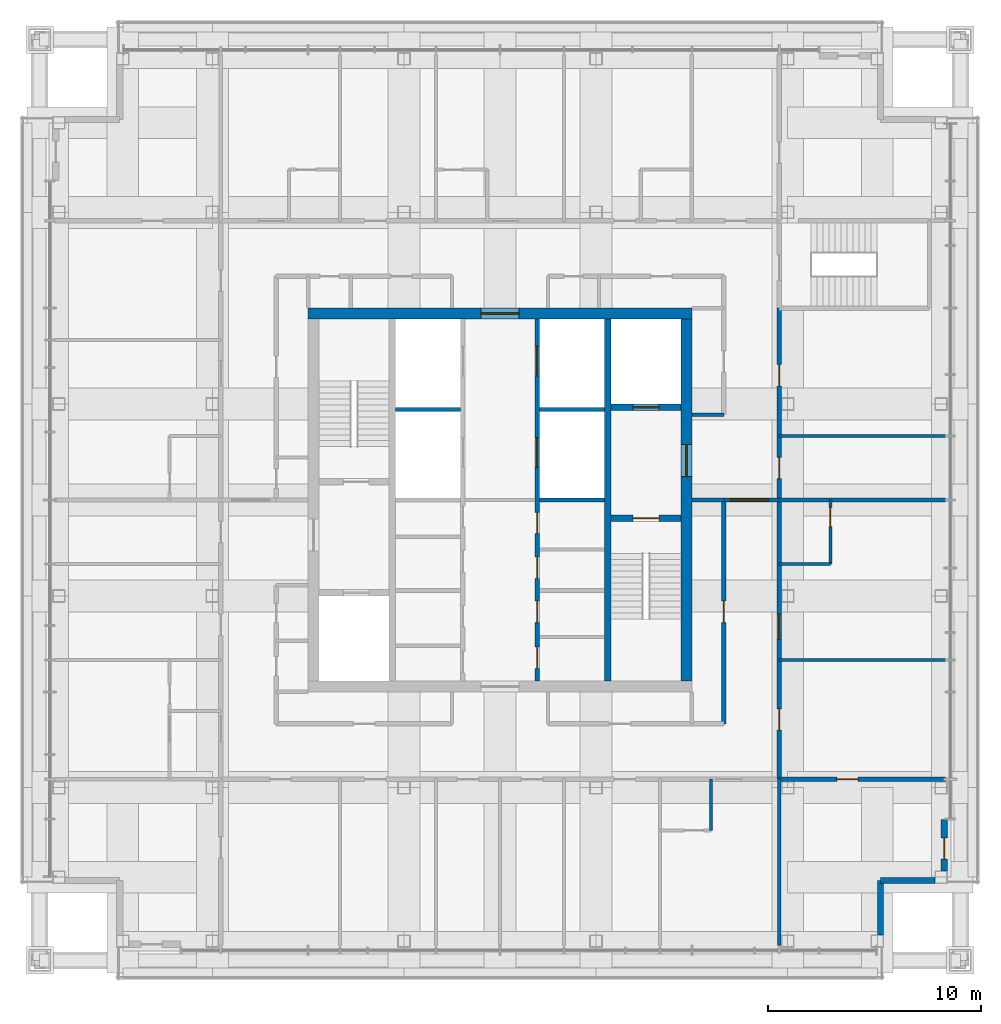
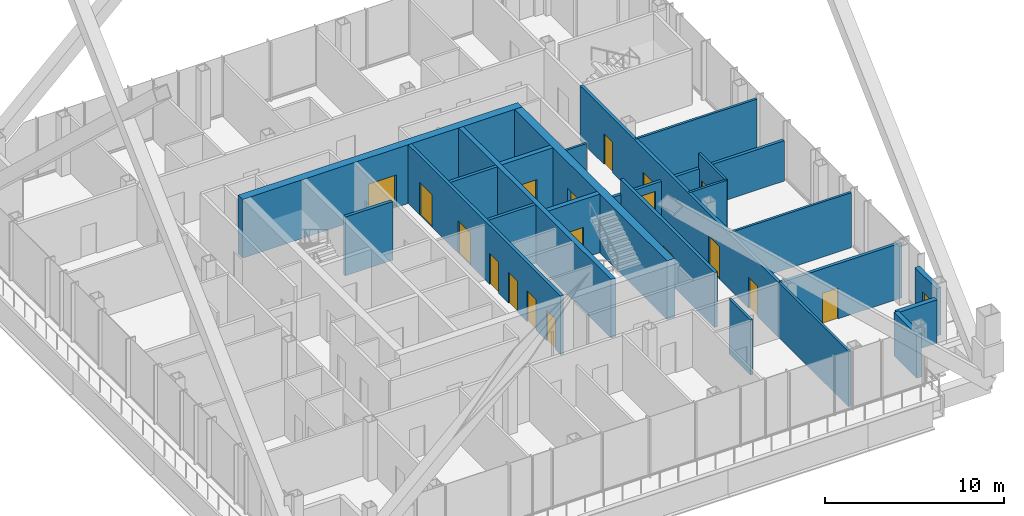
# One storey, part 14 of 19: 25 walls, 19 doors, 19 openings.
"""IFC4 building model written with IfcOpenShell, lengths in metres."""

from ifc_helpers import new_model, si_unit, direction, frame, frame_2d, origin, place, context, subcontext, project, spatial, rectangle, extrude, material, layer, layer_set, type_object, element, fill, save


model = new_model("IFC4")

# Units and contexts
model_context = context("Model", 3, precision=1e-05, world=origin(), true_north=direction((0.0, 1.0)))
body_context = subcontext(model_context, "Body", "Model", "MODEL_VIEW")
ifc_project = project(units=[si_unit("LENGTHUNIT", "METRE"), si_unit("AREAUNIT", "SQUARE_METRE"), si_unit("VOLUMEUNIT", "CUBIC_METRE"), si_unit("PLANEANGLEUNIT", "RADIAN"), si_unit("MASSUNIT", "GRAM", prefix="KILO")], contexts=[model_context])

# Site, building, storey
site_placement = place(None, origin())
site = spatial("IfcSite", under=ifc_project, at=site_placement, CompositionType="ELEMENT")
building_placement = place(site_placement, origin())
building = spatial("IfcBuilding", under=site, at=building_placement, Name="Malebo Sky Hospital", CompositionType="ELEMENT")
storey_placement = place(building_placement, frame((0.0, 0.0, 250.0)))
storey = spatial("IfcBuildingStorey", under=building, at=storey_placement, Name="L60", CompositionType="ELEMENT", Elevation=250.0)

# Wall, openings, doors
ifc_material_1 = material(Name="Concrete C80/95", Category="concrete")
ifc_layer_1 = layer(ifc_material_1, 0.199951171875)
ifc_layer_set_1 = layer_set([ifc_layer_1], Name="CORE INNER WALL 200")
wall_type_1 = type_object("IfcWallType", Name="CORE INNER WALL 200", PredefinedType="SHEAR", material=ifc_layer_set_1)
wall_1_placement = place(storey_placement, frame((61.75, 53.5, 0.0), z_axis=(0.0, 0.0, 1.0), x_axis=(0.0, 1.0, 0.0)))
wall_1 = element("IfcWall", 1, at=wall_1_placement, inside=storey, type_object=wall_type_1, Name="Core wall LE L60", PredefinedType="SHEAR", context=body_context, shape_type="SweptSolid", body=[
    extrude(rectangle(XDim=17.0, YDim=0.199951171875, at=frame_2d((8.5, 0.0))), origin(), (0.0, 0.0, 1.0), 4.0),
])
opening_1_placement = place(wall_1_placement, frame((0.60009765625, 0.0, 0.0)))
opening_1 = element("IfcOpeningElement", 2, at=opening_1_placement, cuts=wall_1, Name="Opening D17", PredefinedType="OPENING", context=body_context, shape_type="SweptSolid", body=[
    extrude(rectangle(XDim=1.0, YDim=2.10009765625, at=frame_2d((0.5, 1.050048828125))), frame((0.0, 0.10986328125, 0.0), z_axis=(0.0, -1.0, 0.0), x_axis=(1.0, 0.0, 0.0)), (0.0, 0.0, 1.0), 0.219970703125),
])
opening_2_placement = place(wall_1_placement, frame((2.75, 0.0, 0.0)))
opening_2 = element("IfcOpeningElement", 3, at=opening_2_placement, cuts=wall_1, Name="Opening D17", PredefinedType="OPENING", context=body_context, shape_type="SweptSolid", body=[
    extrude(rectangle(XDim=1.0, YDim=2.10009765625, at=frame_2d((0.5, 1.050048828125))), frame((0.0, 0.10986328125, 0.0), z_axis=(0.0, -1.0, 0.0), x_axis=(1.0, 0.0, 0.0)), (0.0, 0.0, 1.0), 0.219970703125),
])
opening_3_placement = place(wall_1_placement, frame((4.823974609375, 0.0, 0.0)))
opening_3 = element("IfcOpeningElement", 4, at=opening_3_placement, cuts=wall_1, Name="Opening D17", PredefinedType="OPENING", context=body_context, shape_type="SweptSolid", body=[
    extrude(rectangle(XDim=1.0, YDim=2.10009765625, at=frame_2d((0.5, 1.050048828125))), frame((0.0, 0.10986328125, 0.0), z_axis=(0.0, -1.0, 0.0), x_axis=(1.0, 0.0, 0.0)), (0.0, 0.0, 1.0), 0.219970703125),
])
opening_4_placement = place(wall_1_placement, frame((6.924072265625, 0.0, 0.0)))
opening_4 = element("IfcOpeningElement", 5, at=opening_4_placement, cuts=wall_1, Name="Opening D17", PredefinedType="OPENING", context=body_context, shape_type="SweptSolid", body=[
    extrude(rectangle(XDim=1.0, YDim=2.10009765625, at=frame_2d((0.5, 1.050048828125))), frame((0.0, 0.10986328125, 0.0), z_axis=(0.0, -1.0, 0.0), x_axis=(1.0, 0.0, 0.0)), (0.0, 0.0, 1.0), 0.219970703125),
])
opening_5_placement = place(wall_1_placement, frame((10.02490234375, 0.0, 0.0)))
opening_5 = element("IfcOpeningElement", 6, at=opening_5_placement, cuts=wall_1, Name="Opening LD1", PredefinedType="OPENING", context=body_context, shape_type="SweptSolid", body=[
    extrude(rectangle(XDim=1.39990234375, YDim=2.199951171875, at=frame_2d((0.699951171875, 1.10009765625))), frame((0.0, 0.10986328125, 0.0), z_axis=(0.0, -1.0, 0.0), x_axis=(1.0, 0.0, 0.0)), (0.0, 0.0, 1.0), 0.219970703125),
])
opening_6_placement = place(wall_1_placement, frame((14.324951171875, 0.0, 0.0)))
opening_6 = element("IfcOpeningElement", 7, at=opening_6_placement, cuts=wall_1, Name="Opening LD1", PredefinedType="OPENING", context=body_context, shape_type="SweptSolid", body=[
    extrude(rectangle(XDim=1.39990234375, YDim=2.199951171875, at=frame_2d((0.699951171875, 1.10009765625))), frame((0.0, 0.10986328125, 0.0), z_axis=(0.0, -1.0, 0.0), x_axis=(1.0, 0.0, 0.0)), (0.0, 0.0, 1.0), 0.219970703125),
])
ifc_material_2 = material(Name="Hardwood-faced door leaf in steel frame", Category="steel")
door_type_1 = type_object("IfcDoorType", Name="FIRE DOOR 1000", OperationType="SINGLE_SWING_LEFT", PredefinedType="DOOR", material=ifc_material_2)
door_1_placement = place(opening_1_placement, origin())
door_1 = element("IfcDoor", 8, at=door_1_placement, inside=storey, type_object=door_type_1, Name="General store door", OperationType="SINGLE_SWING_RIGHT", OverallHeight=2.10009765625, OverallWidth=1.0, PredefinedType="DOOR", context=body_context, shape_type="SweptSolid", body=[
    extrude(rectangle(XDim=1.0, YDim=2.10009765625, at=frame_2d((0.5, 1.050048828125))), frame((0.0, 0.02490234375, 0.0), z_axis=(0.0, -1.0, 0.0), x_axis=(1.0, 0.0, 0.0)), (0.0, 0.0, 1.0), 0.050048828125),
])
fill(opening_1, door_1)
door_2_placement = place(opening_2_placement, origin())
door_2 = element("IfcDoor", 9, at=door_2_placement, inside=storey, type_object=door_type_1, Name="Records store door", OperationType="SINGLE_SWING_RIGHT", OverallHeight=2.10009765625, OverallWidth=1.0, PredefinedType="DOOR", context=body_context, shape_type="SweptSolid", body=[
    extrude(rectangle(XDim=1.0, YDim=2.10009765625, at=frame_2d((0.5, 1.050048828125))), frame((0.0, 0.02490234375, 0.0), z_axis=(0.0, -1.0, 0.0), x_axis=(1.0, 0.0, 0.0)), (0.0, 0.0, 1.0), 0.050048828125),
])
fill(opening_2, door_2)
door_3_placement = place(opening_3_placement, origin())
door_3 = element("IfcDoor", 10, at=door_3_placement, inside=storey, type_object=door_type_1, Name="Equipment store door", OperationType="SINGLE_SWING_RIGHT", OverallHeight=2.10009765625, OverallWidth=1.0, PredefinedType="DOOR", context=body_context, shape_type="SweptSolid", body=[
    extrude(rectangle(XDim=1.0, YDim=2.10009765625, at=frame_2d((0.5, 1.050048828125))), frame((0.0, 0.02490234375, 0.0), z_axis=(0.0, -1.0, 0.0), x_axis=(1.0, 0.0, 0.0)), (0.0, 0.0, 1.0), 0.050048828125),
])
fill(opening_3, door_3)
door_4_placement = place(opening_4_placement, origin())
door_4 = element("IfcDoor", 11, at=door_4_placement, inside=storey, type_object=door_type_1, Name="Linen store door", OperationType="SINGLE_SWING_RIGHT", OverallHeight=2.10009765625, OverallWidth=1.0, PredefinedType="DOOR", context=body_context, shape_type="SweptSolid", body=[
    extrude(rectangle(XDim=1.0, YDim=2.10009765625, at=frame_2d((0.5, 1.050048828125))), frame((0.0, 0.02490234375, 0.0), z_axis=(0.0, -1.0, 0.0), x_axis=(1.0, 0.0, 0.0)), (0.0, 0.0, 1.0), 0.050048828125),
])
fill(opening_4, door_4)
ifc_material_3 = material(Name="Stainless steel sliding landing door", Category="steel")
door_type_2 = type_object("IfcDoorType", Name="LIFT LANDING DOOR 1400", OperationType="SLIDING_TO_LEFT", PredefinedType="DOOR", material=ifc_material_3)
door_5_placement = place(opening_5_placement, origin())
door_5 = element("IfcDoor", 12, at=door_5_placement, inside=storey, type_object=door_type_2, Name="Lift E3 landing door", OperationType="SLIDING_TO_LEFT", OverallHeight=2.199951171875, OverallWidth=1.39990234375, PredefinedType="DOOR", context=body_context, shape_type="SweptSolid", body=[
    extrude(rectangle(XDim=1.39990234375, YDim=2.199951171875, at=frame_2d((0.699951171875, 1.10009765625))), frame((0.0, 0.02490234375, 0.0), z_axis=(0.0, -1.0, 0.0), x_axis=(1.0, 0.0, 0.0)), (0.0, 0.0, 1.0), 0.050048828125),
])
fill(opening_5, door_5)
door_6_placement = place(opening_6_placement, origin())
door_6 = element("IfcDoor", 13, at=door_6_placement, inside=storey, type_object=door_type_2, Name="Lift E4 landing door", OperationType="SLIDING_TO_LEFT", OverallHeight=2.199951171875, OverallWidth=1.39990234375, PredefinedType="DOOR", context=body_context, shape_type="SweptSolid", body=[
    extrude(rectangle(XDim=1.39990234375, YDim=2.199951171875, at=frame_2d((0.699951171875, 1.10009765625))), frame((0.0, 0.02490234375, 0.0), z_axis=(0.0, -1.0, 0.0), x_axis=(1.0, 0.0, 0.0)), (0.0, 0.0, 1.0), 0.050048828125),
])
fill(opening_6, door_6)

# Walls
for number, where, z_axis, x_axis, name in (
    (14, (61.85009765625, 62.0, 0.0), (0.0, 0.0, 1.0), (1.0, 0.0, 0.0), "Core wall SE1 L60"),
    (15, (55.10009765625, 66.25, 0.0), (0.0, 0.0, 1.0), (1.0, 0.0, 0.0), "Core wall SW2 L60"),
    (16, (61.85009765625, 66.25, 0.0), (0.0, 0.0, 1.0), (1.0, 0.0, 0.0), "Core wall SE2 L60"),
):
    element("IfcWall", number, at=place(storey_placement, frame(where, z_axis=z_axis, x_axis=x_axis)), inside=storey, type_object=wall_type_1, Name=name, PredefinedType="SHEAR", context=body_context, shape_type="SweptSolid", body=[
        extrude(rectangle(XDim=3.0498046875, YDim=0.199951171875, at=frame_2d((1.52490234375, 0.0))), origin(), (0.0, 0.0, 1.0), 4.0),
    ])
ifc_layer_2 = layer(ifc_material_1, 0.300048828125)
ifc_layer_set_2 = layer_set([ifc_layer_2], Name="CORE INNER WALL 300")
wall_type_2 = type_object("IfcWallType", Name="CORE INNER WALL 300", PredefinedType="SHEAR", material=ifc_layer_set_2)
wall_2_placement = place(storey_placement, frame((65.050048828125, 53.5, 0.0), z_axis=(0.0, 0.0, 1.0), x_axis=(0.0, 1.0, 0.0)))
element("IfcWall", 17, at=wall_2_placement, inside=storey, type_object=wall_type_2, Name="Core wall XE L60", PredefinedType="SHEAR", context=body_context, shape_type="SweptSolid", body=[
    extrude(rectangle(XDim=17.0, YDim=0.300048828125, at=frame_2d((8.5, 0.0))), origin(), (0.0, 0.0, 1.0), 4.0),
])

# Wall, opening, door
wall_3_placement = place(storey_placement, frame((65.199951171875, 61.14990234375, 0.0), z_axis=(0.0, 0.0, 1.0), x_axis=(1.0, 0.0, 0.0)))
wall_3 = element("IfcWall", 18, at=wall_3_placement, inside=storey, type_object=wall_type_2, Name="Core wall E1 L60", PredefinedType="SHEAR", context=body_context, shape_type="SweptSolid", body=[
    extrude(rectangle(XDim=3.300048828125, YDim=0.300048828125, at=frame_2d((1.64990234375, 0.0))), origin(), (0.0, 0.0, 1.0), 4.0),
])
opening_7_placement = place(wall_3_placement, frame((1.050048828125, 0.0, 0.0)))
opening_7 = element("IfcOpeningElement", 19, at=opening_7_placement, cuts=wall_3, Name="Opening D08", PredefinedType="OPENING", context=body_context, shape_type="SweptSolid", body=[
    extrude(rectangle(XDim=1.199951171875, YDim=2.10009765625, at=frame_2d((0.60009765625, 1.050048828125))), frame((0.0, 0.159912109375, 0.0), z_axis=(0.0, -1.0, 0.0), x_axis=(1.0, 0.0, 0.0)), (0.0, 0.0, 1.0), 0.320068359375),
])
door_type_3 = type_object("IfcDoorType", Name="STAIR DOOR 1200", OperationType="SINGLE_SWING_LEFT", PredefinedType="DOOR", material=ifc_material_2)
door_7_placement = place(opening_7_placement, origin())
door_7 = element("IfcDoor", 20, at=door_7_placement, inside=storey, type_object=door_type_3, Name="Stair S2 door", OperationType="SINGLE_SWING_LEFT", OverallHeight=2.10009765625, OverallWidth=1.199951171875, PredefinedType="DOOR", context=body_context, shape_type="SweptSolid", body=[
    extrude(rectangle(XDim=1.199951171875, YDim=2.10009765625, at=frame_2d((0.60009765625, 1.050048828125))), frame((0.0, 0.02490234375, 0.0), z_axis=(0.0, -1.0, 0.0), x_axis=(1.0, 0.0, 0.0)), (0.0, 0.0, 1.0), 0.050048828125),
])
fill(opening_7, door_7)

wall_4_placement = place(storey_placement, frame((65.199951171875, 66.35009765625, 0.0), z_axis=(0.0, 0.0, 1.0), x_axis=(1.0, 0.0, 0.0)))
wall_4 = element("IfcWall", 21, at=wall_4_placement, inside=storey, type_object=wall_type_2, Name="Core wall E2 L60", PredefinedType="SHEAR", context=body_context, shape_type="SweptSolid", body=[
    extrude(rectangle(XDim=3.300048828125, YDim=0.300048828125, at=frame_2d((1.64990234375, 0.0))), origin(), (0.0, 0.0, 1.0), 4.0),
])
opening_8_placement = place(wall_4_placement, frame((1.050048828125, 0.0, 0.0)))
opening_8 = element("IfcOpeningElement", 22, at=opening_8_placement, cuts=wall_4, Name="Opening LD2", PredefinedType="OPENING", context=body_context, shape_type="SweptSolid", body=[
    extrude(rectangle(XDim=1.199951171875, YDim=2.199951171875, at=frame_2d((0.60009765625, 1.10009765625))), frame((0.0, 0.159912109375, 0.0), z_axis=(0.0, -1.0, 0.0), x_axis=(1.0, 0.0, 0.0)), (0.0, 0.0, 1.0), 0.320068359375),
])
door_type_4 = type_object("IfcDoorType", Name="FIRE-FIGHTING LIFT LANDING DOOR 1200", OperationType="SLIDING_TO_LEFT", PredefinedType="DOOR", material=ifc_material_3)
door_8_placement = place(opening_8_placement, origin())
door_8 = element("IfcDoor", 23, at=door_8_placement, inside=storey, type_object=door_type_4, Name="Lift FL2 landing door", OperationType="SLIDING_TO_LEFT", OverallHeight=2.199951171875, OverallWidth=1.199951171875, PredefinedType="DOOR", context=body_context, shape_type="SweptSolid", body=[
    extrude(rectangle(XDim=1.199951171875, YDim=2.199951171875, at=frame_2d((0.60009765625, 1.10009765625))), frame((0.0, 0.02490234375, 0.0), z_axis=(0.0, -1.0, 0.0), x_axis=(1.0, 0.0, 0.0)), (0.0, 0.0, 1.0), 0.050048828125),
])
fill(opening_8, door_8)

ifc_layer_3 = layer(ifc_material_1, 0.5)
ifc_layer_set_3 = layer_set([ifc_layer_3], Name="CORE WALL 500")
wall_type_3 = type_object("IfcWallType", Name="CORE WALL 500", PredefinedType="SHEAR", material=ifc_layer_set_3)
wall_5_placement = place(storey_placement, frame((51.0, 70.75, 0.0), z_axis=(0.0, 0.0, 1.0), x_axis=(1.0, 0.0, 0.0)))
wall_5 = element("IfcWall", 24, at=wall_5_placement, inside=storey, type_object=wall_type_3, Name="Core wall N L60", PredefinedType="SHEAR", context=body_context, shape_type="SweptSolid", body=[
    extrude(rectangle(XDim=18.0, YDim=0.5, at=frame_2d((9.0, 0.0))), origin(), (0.0, 0.0, 1.0), 4.0),
])
opening_9_placement = place(wall_5_placement, frame((8.10009765625, 0.0, 0.0)))
opening_9 = element("IfcOpeningElement", 25, at=opening_9_placement, cuts=wall_5, Name="Opening D06", PredefinedType="OPENING", context=body_context, shape_type="SweptSolid", body=[
    extrude(rectangle(XDim=1.800048828125, YDim=2.199951171875, at=frame_2d((0.89990234375, 1.10009765625))), frame((0.0, 0.260009765625, 0.0), z_axis=(0.0, -1.0, 0.0), x_axis=(1.0, 0.0, 0.0)), (0.0, 0.0, 1.0), 0.52001953125),
])
door_type_5 = type_object("IfcDoorType", Name="LOBBY DOOR PAIR 1800", OperationType="DOUBLE_DOOR_SINGLE_SWING", PredefinedType="DOOR", material=ifc_material_2)
door_9_placement = place(opening_9_placement, origin())
door_9 = element("IfcDoor", 26, at=door_9_placement, inside=storey, type_object=door_type_5, Name="Lift lobby door north", OperationType="DOUBLE_DOOR_SINGLE_SWING", OverallHeight=2.199951171875, OverallWidth=1.800048828125, PredefinedType="DOOR", context=body_context, shape_type="SweptSolid", body=[
    extrude(rectangle(XDim=1.800048828125, YDim=2.199951171875, at=frame_2d((0.89990234375, 1.10009765625))), frame((0.0, 0.02490234375, 0.0), z_axis=(0.0, -1.0, 0.0), x_axis=(1.0, 0.0, 0.0)), (0.0, 0.0, 1.0), 0.050048828125),
])
fill(opening_9, door_9)

wall_6_placement = place(storey_placement, frame((68.75, 53.5, 0.0), z_axis=(0.0, 0.0, 1.0), x_axis=(0.0, 1.0, 0.0)))
wall_6 = element("IfcWall", 27, at=wall_6_placement, inside=storey, type_object=wall_type_3, Name="Core wall E L60", PredefinedType="SHEAR", context=body_context, shape_type="SweptSolid", body=[
    extrude(rectangle(XDim=17.0, YDim=0.5, at=frame_2d((8.5, 0.0))), origin(), (0.0, 0.0, 1.0), 4.0),
])
opening_10_placement = place(wall_6_placement, frame((9.60009765625, 0.0, 0.0)))
opening_10 = element("IfcOpeningElement", 28, at=opening_10_placement, cuts=wall_6, Name="Opening D07", PredefinedType="OPENING", context=body_context, shape_type="SweptSolid", body=[
    extrude(rectangle(XDim=1.5, YDim=2.199951171875, at=frame_2d((0.75, 1.10009765625))), frame((0.0, 0.260009765625, 0.0), z_axis=(0.0, -1.0, 0.0), x_axis=(1.0, 0.0, 0.0)), (0.0, 0.0, 1.0), 0.52001953125),
])
door_type_6 = type_object("IfcDoorType", Name="FIRE-FIGHTING LOBBY DOOR PAIR 1500", OperationType="DOUBLE_DOOR_SINGLE_SWING", PredefinedType="DOOR", material=ifc_material_2)
door_10_placement = place(opening_10_placement, origin())
door_10 = element("IfcDoor", 29, at=door_10_placement, inside=storey, type_object=door_type_6, Name="Fire-fighting lobby door east", OperationType="DOUBLE_DOOR_SINGLE_SWING", OverallHeight=2.199951171875, OverallWidth=1.5, PredefinedType="DOOR", context=body_context, shape_type="SweptSolid", body=[
    extrude(rectangle(XDim=1.5, YDim=2.199951171875, at=frame_2d((0.75, 1.10009765625))), frame((0.0, 0.02490234375, 0.0), z_axis=(0.0, -1.0, 0.0), x_axis=(1.0, 0.0, 0.0)), (0.0, 0.0, 1.0), 0.050048828125),
])
fill(opening_10, door_10)

# Wall, openings, doors
ifc_material_4 = material(Name="Gypsum board on steel studs", Category="steel")
ifc_layer_4 = layer(ifc_material_4, 0.199951171875)
ifc_layer_set_4 = layer_set([ifc_layer_4], Name="CORRIDOR WALL 200")
wall_type_4 = type_object("IfcWallType", Name="CORRIDOR WALL 200", PredefinedType="PARTITIONING", material=ifc_layer_set_4)
wall_7_placement = place(storey_placement, frame((73.10009765625, 71.0, 0.0), z_axis=(0.0, 0.0, 1.0), x_axis=(0.0, -1.0, 0.0)))
wall_7 = element("IfcWall", 30, at=wall_7_placement, inside=storey, type_object=wall_type_4, Name="Corridor Wall 200 ECO", PredefinedType="PARTITIONING", context=body_context, shape_type="SweptSolid", body=[
    extrude(rectangle(XDim=22.10009765625, YDim=0.199951171875, at=frame_2d((11.050048828125, 0.0))), origin(), (0.0, 0.0, 1.0), 3.75),
])
opening_11_placement = place(wall_7_placement, frame((2.64990234375, 0.0, 0.0)))
opening_11 = element("IfcOpeningElement", 31, at=opening_11_placement, cuts=wall_7, Name="Opening D03", PredefinedType="OPENING", context=body_context, shape_type="SweptSolid", body=[
    extrude(rectangle(XDim=1.0, YDim=2.10009765625, at=frame_2d((0.5, 1.050048828125))), frame((0.0, 0.10986328125, 0.0), z_axis=(0.0, -1.0, 0.0), x_axis=(1.0, 0.0, 0.0)), (0.0, 0.0, 1.0), 0.219970703125),
])
opening_12_placement = place(wall_7_placement, frame((7.0, 0.0, 0.0)))
opening_12 = element("IfcOpeningElement", 32, at=opening_12_placement, cuts=wall_7, Name="Opening D03", PredefinedType="OPENING", context=body_context, shape_type="SweptSolid", body=[
    extrude(rectangle(XDim=1.0, YDim=2.10009765625, at=frame_2d((0.5, 1.050048828125))), frame((0.0, 0.10986328125, 0.0), z_axis=(0.0, -1.0, 0.0), x_axis=(1.0, 0.0, 0.0)), (0.0, 0.0, 1.0), 0.219970703125),
])
opening_13_placement = place(wall_7_placement, frame((14.35009765625, 0.0, 0.0)))
opening_13 = element("IfcOpeningElement", 33, at=opening_13_placement, cuts=wall_7, Name="Opening D01", PredefinedType="OPENING", context=body_context, shape_type="SweptSolid", body=[
    extrude(rectangle(XDim=1.199951171875, YDim=2.199951171875, at=frame_2d((0.60009765625, 1.10009765625))), frame((0.0, 0.10986328125, 0.0), z_axis=(0.0, -1.0, 0.0), x_axis=(1.0, 0.0, 0.0)), (0.0, 0.0, 1.0), 0.219970703125),
])
opening_14_placement = place(wall_7_placement, frame((18.800048828125, 0.0, 0.0)))
opening_14 = element("IfcOpeningElement", 34, at=opening_14_placement, cuts=wall_7, Name="Opening D17", PredefinedType="OPENING", context=body_context, shape_type="SweptSolid", body=[
    extrude(rectangle(XDim=1.0, YDim=2.10009765625, at=frame_2d((0.5, 1.050048828125))), frame((0.0, 0.10986328125, 0.0), z_axis=(0.0, -1.0, 0.0), x_axis=(1.0, 0.0, 0.0)), (0.0, 0.0, 1.0), 0.219970703125),
])
door_type_7 = type_object("IfcDoorType", Name="BED DOOR 1200", OperationType="SINGLE_SWING_LEFT", PredefinedType="DOOR", material=ifc_material_2)
door_11_placement = place(opening_13_placement, origin())
door_11 = element("IfcDoor", 35, at=door_11_placement, inside=storey, type_object=door_type_7, Name="Two-bed room door", OperationType="SINGLE_SWING_RIGHT", OverallHeight=2.199951171875, OverallWidth=1.199951171875, PredefinedType="DOOR", context=body_context, shape_type="SweptSolid", body=[
    extrude(rectangle(XDim=1.199951171875, YDim=2.199951171875, at=frame_2d((0.60009765625, 1.10009765625))), frame((0.0, 0.02490234375, 0.0), z_axis=(0.0, -1.0, 0.0), x_axis=(1.0, 0.0, 0.0)), (0.0, 0.0, 1.0), 0.050048828125),
])
fill(opening_13, door_11)
door_12_placement = place(opening_14_placement, origin())
door_12 = element("IfcDoor", 36, at=door_12_placement, inside=storey, type_object=door_type_1, Name="Facade access lobby door", OperationType="SINGLE_SWING_RIGHT", OverallHeight=2.10009765625, OverallWidth=1.0, PredefinedType="DOOR", context=body_context, shape_type="SweptSolid", body=[
    extrude(rectangle(XDim=1.0, YDim=2.10009765625, at=frame_2d((0.5, 1.050048828125))), frame((0.0, 0.02490234375, 0.0), z_axis=(0.0, -1.0, 0.0), x_axis=(1.0, 0.0, 0.0)), (0.0, 0.0, 1.0), 0.050048828125),
])
fill(opening_14, door_12)
door_type_8 = type_object("IfcDoorType", Name="ROOM DOOR 1000", OperationType="SINGLE_SWING_LEFT", PredefinedType="DOOR", material=ifc_material_2)
door_13_placement = place(opening_11_placement, origin())
door_13 = element("IfcDoor", 37, at=door_13_placement, inside=storey, type_object=door_type_8, Name="Ward office door", OperationType="SINGLE_SWING_RIGHT", OverallHeight=2.10009765625, OverallWidth=1.0, PredefinedType="DOOR", context=body_context, shape_type="SweptSolid", body=[
    extrude(rectangle(XDim=1.0, YDim=2.10009765625, at=frame_2d((0.5, 1.050048828125))), frame((0.0, 0.02490234375, 0.0), z_axis=(0.0, -1.0, 0.0), x_axis=(1.0, 0.0, 0.0)), (0.0, 0.0, 1.0), 0.050048828125),
])
fill(opening_11, door_13)
door_14_placement = place(opening_12_placement, origin())
door_14 = element("IfcDoor", 38, at=door_14_placement, inside=storey, type_object=door_type_8, Name="Interview room door", OperationType="SINGLE_SWING_RIGHT", OverallHeight=2.10009765625, OverallWidth=1.0, PredefinedType="DOOR", context=body_context, shape_type="SweptSolid", body=[
    extrude(rectangle(XDim=1.0, YDim=2.10009765625, at=frame_2d((0.5, 1.050048828125))), frame((0.0, 0.02490234375, 0.0), z_axis=(0.0, -1.0, 0.0), x_axis=(1.0, 0.0, 0.0)), (0.0, 0.0, 1.0), 0.050048828125),
])
fill(opening_12, door_14)

# Wall, opening, door
wall_8_placement = place(storey_placement, frame((73.10009765625, 48.89990234375, 0.0), z_axis=(0.0, 0.0, 1.0), x_axis=(1.0, 0.0, 0.0)))
wall_8 = element("IfcWall", 39, at=wall_8_placement, inside=storey, type_object=wall_type_4, Name="Corridor Wall 200 EK", PredefinedType="PARTITIONING", context=body_context, shape_type="SweptSolid", body=[
    extrude(rectangle(XDim=7.7998046875, YDim=0.199951171875, at=frame_2d((3.89990234375, 0.0))), origin(), (0.0, 0.0, 1.0), 3.75),
])
opening_15_placement = place(wall_8_placement, frame((2.699951171875, 0.0, 0.0)))
opening_15 = element("IfcOpeningElement", 40, at=opening_15_placement, cuts=wall_8, Name="Opening D17", PredefinedType="OPENING", context=body_context, shape_type="SweptSolid", body=[
    extrude(rectangle(XDim=1.0, YDim=2.10009765625, at=frame_2d((0.5, 1.050048828125))), frame((0.0, 0.10986328125, 0.0), z_axis=(0.0, -1.0, 0.0), x_axis=(1.0, 0.0, 0.0)), (0.0, 0.0, 1.0), 0.219970703125),
])
door_15_placement = place(opening_15_placement, origin())
door_15 = element("IfcDoor", 41, at=door_15_placement, inside=storey, type_object=door_type_1, Name="Facade maintenance store door", OperationType="SINGLE_SWING_LEFT", OverallHeight=2.10009765625, OverallWidth=1.0, PredefinedType="DOOR", context=body_context, shape_type="SweptSolid", body=[
    extrude(rectangle(XDim=1.0, YDim=2.10009765625, at=frame_2d((0.5, 1.050048828125))), frame((0.0, 0.02490234375, 0.0), z_axis=(0.0, -1.0, 0.0), x_axis=(1.0, 0.0, 0.0)), (0.0, 0.0, 1.0), 0.050048828125),
])
fill(opening_15, door_15)

wall_9_placement = place(storey_placement, frame((70.5, 62.0, 0.0), z_axis=(0.0, 0.0, 1.0), x_axis=(0.0, -1.0, 0.0)))
wall_9 = element("IfcWall", 42, at=wall_9_placement, inside=storey, type_object=wall_type_4, Name="Corridor Wall 200 ECI2", PredefinedType="PARTITIONING", context=body_context, shape_type="SweptSolid", body=[
    extrude(rectangle(XDim=10.5, YDim=0.199951171875, at=frame_2d((5.25, 0.0))), origin(), (0.0, 0.0, 1.0), 3.75),
])
opening_16_placement = place(wall_9_placement, frame((4.75, 0.0, 0.0)))
opening_16 = element("IfcOpeningElement", 43, at=opening_16_placement, cuts=wall_9, Name="Opening D03", PredefinedType="OPENING", context=body_context, shape_type="SweptSolid", body=[
    extrude(rectangle(XDim=1.0, YDim=2.10009765625, at=frame_2d((0.5, 1.050048828125))), frame((0.0, 0.10986328125, 0.0), z_axis=(0.0, -1.0, 0.0), x_axis=(1.0, 0.0, 0.0)), (0.0, 0.0, 1.0), 0.219970703125),
])
door_16_placement = place(opening_16_placement, origin())
door_16 = element("IfcDoor", 44, at=door_16_placement, inside=storey, type_object=door_type_8, Name="Wheelchair store door", OperationType="SINGLE_SWING_LEFT", OverallHeight=2.10009765625, OverallWidth=1.0, PredefinedType="DOOR", context=body_context, shape_type="SweptSolid", body=[
    extrude(rectangle(XDim=1.0, YDim=2.10009765625, at=frame_2d((0.5, 1.050048828125))), frame((0.0, 0.02490234375, 0.0), z_axis=(0.0, -1.0, 0.0), x_axis=(1.0, 0.0, 0.0)), (0.0, 0.0, 1.0), 0.050048828125),
])
fill(opening_16, door_16)

ifc_material_5 = material(Name="Anodised aluminium rainscreen on steel framing", Category="steel")
ifc_layer_5 = layer(ifc_material_5, 0.300048828125)
ifc_layer_set_5 = layer_set([ifc_layer_5], Name="NOTCH RAINSCREEN WALL 300")
wall_type_5 = type_object("IfcWallType", Name="NOTCH RAINSCREEN WALL 300", PredefinedType="ELEMENTEDWALL", material=ifc_layer_set_5)
wall_10_placement = place(storey_placement, frame((80.85009765625, 47.0, 0.0), z_axis=(0.0, 0.0, 1.0), x_axis=(0.0, -1.0, 0.0)))
wall_10 = element("IfcWall", 45, at=wall_10_placement, inside=storey, type_object=wall_type_5, Name="Rainscreen panel at maintenance door L60", PredefinedType="ELEMENTEDWALL", context=body_context, shape_type="SweptSolid", body=[
    extrude(rectangle(XDim=2.39990234375, YDim=0.300048828125, at=frame_2d((1.199951171875, 0.0))), origin(), (0.0, 0.0, 1.0), 3.22607421875),
])
opening_17_placement = place(wall_10_placement, frame((0.85009765625, 0.0, 0.0)))
opening_17 = element("IfcOpeningElement", 46, at=opening_17_placement, cuts=wall_10, Name="Opening D30", PredefinedType="OPENING", context=body_context, shape_type="SweptSolid", body=[
    extrude(rectangle(XDim=1.0, YDim=2.10009765625, at=frame_2d((0.5, 1.050048828125))), frame((0.0, 0.159912109375, 0.0), z_axis=(0.0, -1.0, 0.0), x_axis=(1.0, 0.0, 0.0)), (0.0, 0.0, 1.0), 0.320068359375),
])
ifc_material_6 = material(Name="Galvanised steel weathertight door leaf in steel frame", Category="steel")
door_type_9 = type_object("IfcDoorType", Name="MAINTENANCE ACCESS DOOR 1000", OperationType="SINGLE_SWING_LEFT", PredefinedType="DOOR", material=ifc_material_6)
door_17_placement = place(opening_17_placement, frame((1.0, 0.0, 0.0), z_axis=(0.0, 0.0, 1.0), x_axis=(-1.0, 0.0, 0.0)))
door_17 = element("IfcDoor", 47, at=door_17_placement, inside=storey, type_object=door_type_9, Name="Maintenance access door to roof", OperationType="SINGLE_SWING_RIGHT", OverallHeight=2.10009765625, OverallWidth=1.0, PredefinedType="DOOR", context=body_context, shape_type="SweptSolid", body=[
    extrude(rectangle(XDim=1.0, YDim=2.10009765625, at=frame_2d((0.5, 1.050048828125))), frame((0.0, 0.02490234375, 0.0), z_axis=(0.0, -1.0, 0.0), x_axis=(1.0, 0.0, 0.0)), (0.0, 0.0, 1.0), 0.050048828125),
])
fill(opening_17, door_17)

# Walls
for number, where, z_axis, x_axis, name in (
    (48, (80.39990234375, 44.14990234375, 0.0), (0.0, 0.0, 1.0), (-1.0, 0.0, 0.0), "Notch rainscreen wall E1 L60"),
    (49, (77.85009765625, 44.14990234375, 0.0), (0.0, 0.0, 1.0), (0.0, -1.0, 0.0), "Notch rainscreen wall E2 L60"),
):
    element("IfcWall", number, at=place(storey_placement, frame(where, z_axis=z_axis, x_axis=x_axis)), inside=storey, type_object=wall_type_5, Name=name, PredefinedType="ELEMENTEDWALL", context=body_context, shape_type="SweptSolid", body=[
        extrude(rectangle(XDim=2.5498046875, YDim=0.300048828125, at=frame_2d((1.27490234375, 0.0))), origin(), (0.0, 0.0, 1.0), 2.949951171875),
    ])
ifc_layer_6 = layer(ifc_material_4, 0.14990234375)
ifc_layer_set_6 = layer_set([ifc_layer_6], Name="PARTITION 150")
wall_type_6 = type_object("IfcWallType", Name="PARTITION 150", PredefinedType="PARTITIONING", material=ifc_layer_set_6)
wall_11_placement = place(storey_placement, frame((73.10009765625, 48.89990234375, 0.0), z_axis=(0.0, 0.0, 1.0), x_axis=(0.0, -1.0, 0.0)))
element("IfcWall", 50, at=wall_11_placement, inside=storey, type_object=wall_type_6, Name="Partition 150 SP0", PredefinedType="PARTITIONING", context=body_context, shape_type="SweptSolid", body=[
    extrude(rectangle(XDim=7.7998046875, YDim=0.14990234375, at=frame_2d((3.89990234375, 0.0))), origin(), (0.0, 0.0, 1.0), 3.75),
])
wall_12_placement = place(storey_placement, frame((69.89990234375, 48.89990234375, 0.0), z_axis=(0.0, 0.0, 1.0), x_axis=(0.0, -1.0, 0.0)))
element("IfcWall", 51, at=wall_12_placement, inside=storey, type_object=wall_type_6, Name="Partition 150 SE0S", PredefinedType="PARTITIONING", context=body_context, shape_type="SweptSolid", body=[
    extrude(rectangle(XDim=2.39990234375, YDim=0.14990234375, at=frame_2d((1.199951171875, 0.0))), origin(), (0.0, 0.0, 1.0), 3.75),
])
for number, where, z_axis, x_axis, name in (
    (52, (73.10009765625, 65.0, 0.0), (0.0, 0.0, 1.0), (1.0, 0.0, 0.0), "Partition 150 EP-3.0"),
    (53, (73.10009765625, 54.5, 0.0), (0.0, 0.0, 1.0), (1.0, 0.0, 0.0), "Partition 150 EP+7.5"),
):
    element("IfcWall", number, at=place(storey_placement, frame(where, z_axis=z_axis, x_axis=x_axis)), inside=storey, type_object=wall_type_6, Name=name, PredefinedType="PARTITIONING", context=body_context, shape_type="SweptSolid", body=[
        extrude(rectangle(XDim=7.7998046875, YDim=0.14990234375, at=frame_2d((3.89990234375, 0.0))), origin(), (0.0, 0.0, 1.0), 3.75),
    ])

# Wall, opening, door
wall_13_placement = place(storey_placement, frame((75.5, 62.0, 0.0), z_axis=(0.0, 0.0, 1.0), x_axis=(0.0, -1.0, 0.0)))
wall_13 = element("IfcWall", 54, at=wall_13_placement, inside=storey, type_object=wall_type_6, Name="Partition 150 EE3F", PredefinedType="PARTITIONING", context=body_context, shape_type="SweptSolid", body=[
    extrude(rectangle(XDim=3.0, YDim=0.14990234375, at=frame_2d((1.5, 0.0))), origin(), (0.0, 0.0, 1.0), 3.75),
])
opening_18_placement = place(wall_13_placement, frame((0.35009765625, 0.0, 0.0)))
opening_18 = element("IfcOpeningElement", 55, at=opening_18_placement, cuts=wall_13, Name="Opening D02", PredefinedType="OPENING", context=body_context, shape_type="SweptSolid", body=[
    extrude(rectangle(XDim=0.89990234375, YDim=2.10009765625, at=frame_2d((0.449951171875, 1.050048828125))), frame((0.0, 0.0849609375, 0.0), z_axis=(0.0, -1.0, 0.0), x_axis=(1.0, 0.0, 0.0)), (0.0, 0.0, 1.0), 0.169921875),
])
door_type_10 = type_object("IfcDoorType", Name="EN-SUITE DOOR 900", OperationType="SINGLE_SWING_LEFT", PredefinedType="DOOR", material=ifc_material_2)
door_18_placement = place(opening_18_placement, origin())
door_18 = element("IfcDoor", 56, at=door_18_placement, inside=storey, type_object=door_type_10, Name="En-suite door", OperationType="SINGLE_SWING_LEFT", OverallHeight=2.10009765625, OverallWidth=0.89990234375, PredefinedType="DOOR", context=body_context, shape_type="SweptSolid", body=[
    extrude(rectangle(XDim=0.89990234375, YDim=2.10009765625, at=frame_2d((0.449951171875, 1.050048828125))), frame((0.0, 0.02490234375, 0.0), z_axis=(0.0, -1.0, 0.0), x_axis=(1.0, 0.0, 0.0)), (0.0, 0.0, 1.0), 0.050048828125),
])
fill(opening_18, door_18)

# Walls
wall_14_placement = place(storey_placement, frame((73.10009765625, 59.0, 0.0), z_axis=(0.0, 0.0, 1.0), x_axis=(1.0, 0.0, 0.0)))
element("IfcWall", 57, at=wall_14_placement, inside=storey, type_object=wall_type_6, Name="Partition 150 EE3S", PredefinedType="PARTITIONING", context=body_context, shape_type="SweptSolid", body=[
    extrude(rectangle(XDim=2.39990234375, YDim=0.14990234375, at=frame_2d((1.199951171875, 0.0))), origin(), (0.0, 0.0, 1.0), 3.75),
])
wall_15_placement = place(storey_placement, frame((69.0, 66.0, 0.0), z_axis=(0.0, 0.0, 1.0), x_axis=(1.0, 0.0, 0.0)))
element("IfcWall", 58, at=wall_15_placement, inside=storey, type_object=wall_type_6, Name="Partition 150 ESPA", PredefinedType="PARTITIONING", context=body_context, shape_type="SweptSolid", body=[
    extrude(rectangle(XDim=1.5, YDim=0.14990234375, at=frame_2d((0.75, 0.0))), origin(), (0.0, 0.0, 1.0), 3.75),
])
ifc_material_7 = material(Name="Concrete blockwork", Category="masonry")
ifc_layer_7 = layer(ifc_material_7, 0.199951171875)
ifc_layer_set_7 = layer_set([ifc_layer_7], Name="SMOKE BARRIER WALL 200")
wall_type_7 = type_object("IfcWallType", Name="SMOKE BARRIER WALL 200", PredefinedType="SOLIDWALL", material=ifc_layer_set_7)
wall_16_placement = place(storey_placement, frame((73.10009765625, 62.0, 0.0), z_axis=(0.0, 0.0, 1.0), x_axis=(1.0, 0.0, 0.0)))
element("IfcWall", 59, at=wall_16_placement, inside=storey, type_object=wall_type_7, Name="Smoke Barrier Wall 200 EP+0.0", PredefinedType="SOLIDWALL", context=body_context, shape_type="SweptSolid", body=[
    extrude(rectangle(XDim=7.7998046875, YDim=0.199951171875, at=frame_2d((3.89990234375, 0.0))), origin(), (0.0, 0.0, 1.0), 2.75),
])
wall_17_placement = place(storey_placement, frame((69.0, 62.0, 0.0), z_axis=(0.0, 0.0, 1.0), x_axis=(1.0, 0.0, 0.0)))
element("IfcWall", 60, at=wall_17_placement, inside=storey, type_object=wall_type_7, Name="Smoke Barrier Wall 200 ESPB", PredefinedType="SOLIDWALL", context=body_context, shape_type="SweptSolid", body=[
    extrude(rectangle(XDim=1.5, YDim=0.199951171875, at=frame_2d((0.75, 0.0))), origin(), (0.0, 0.0, 1.0), 2.75),
])

# Wall, opening, door
wall_18_placement = place(storey_placement, frame((70.5, 62.0, 0.0), z_axis=(0.0, 0.0, 1.0), x_axis=(1.0, 0.0, 0.0)))
wall_18 = element("IfcWall", 61, at=wall_18_placement, inside=storey, type_object=wall_type_7, Name="Smoke Barrier Wall 200 ESB", PredefinedType="SOLIDWALL", context=body_context, shape_type="SweptSolid", body=[
    extrude(rectangle(XDim=2.60009765625, YDim=0.199951171875, at=frame_2d((1.300048828125, 0.0))), origin(), (0.0, 0.0, 1.0), 2.75),
])
opening_19_placement = place(wall_18_placement, frame((0.300048828125, 0.0, 0.0)))
opening_19 = element("IfcOpeningElement", 62, at=opening_19_placement, cuts=wall_18, Name="Opening D05", PredefinedType="OPENING", context=body_context, shape_type="SweptSolid", body=[
    extrude(rectangle(XDim=1.800048828125, YDim=2.199951171875, at=frame_2d((0.89990234375, 1.10009765625))), frame((0.0, 0.10986328125, 0.0), z_axis=(0.0, -1.0, 0.0), x_axis=(1.0, 0.0, 0.0)), (0.0, 0.0, 1.0), 0.219970703125),
])
door_type_11 = type_object("IfcDoorType", Name="SMOKE DOOR PAIR 1800", OperationType="DOUBLE_DOOR_DOUBLE_SWING", PredefinedType="DOOR", material=ifc_material_2)
door_19_placement = place(opening_19_placement, origin())
door_19 = element("IfcDoor", 63, at=door_19_placement, inside=storey, type_object=door_type_11, Name="Smoke compartment door pair", OperationType="DOUBLE_DOOR_DOUBLE_SWING", OverallHeight=2.199951171875, OverallWidth=1.800048828125, PredefinedType="DOOR", context=body_context, shape_type="SweptSolid", body=[
    extrude(rectangle(XDim=1.800048828125, YDim=2.199951171875, at=frame_2d((0.89990234375, 1.10009765625))), frame((0.0, 0.02490234375, 0.0), z_axis=(0.0, -1.0, 0.0), x_axis=(1.0, 0.0, 0.0)), (0.0, 0.0, 1.0), 0.050048828125),
])
fill(opening_19, door_19)

save(model, "model.ifc")
